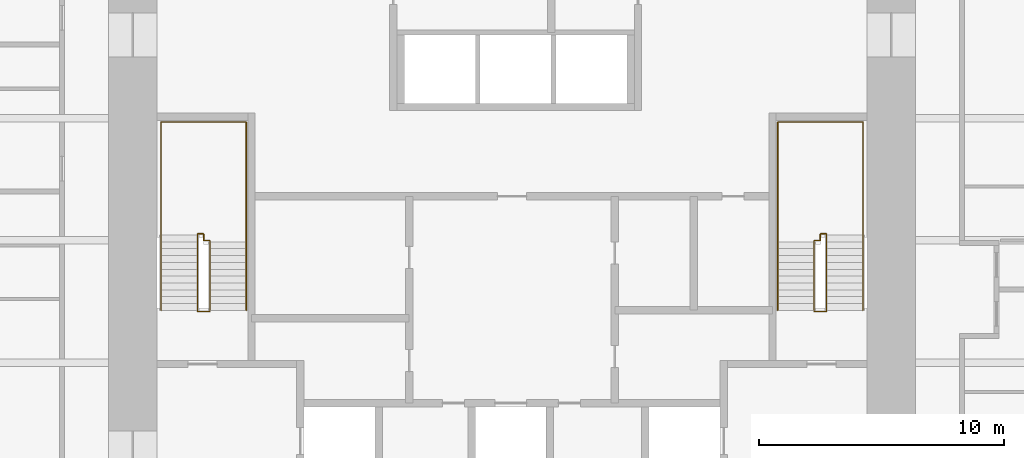
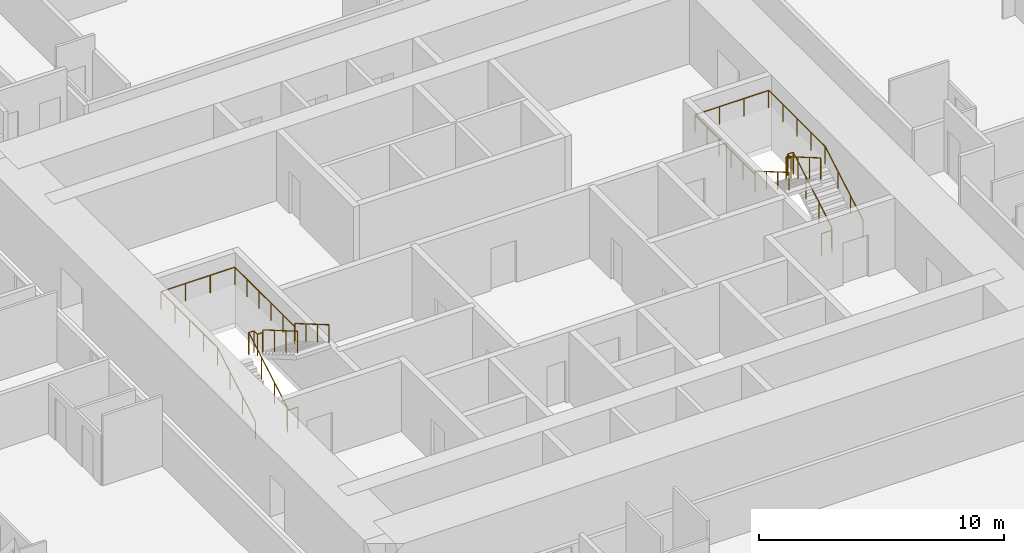
# One storey, part 17 of 17: 4 railings.
"""IFC4 building model written with IfcOpenShell, lengths in metres."""

from ifc_helpers import new_model, si_unit, direction, frame, origin, origin_2d, place, context, subcontext, project, spatial, circle, extrude, material, type_object, element, save


model = new_model("IFC4")

# Units and contexts
model_context = context("Model", 3, precision=1e-05, world=origin(), true_north=direction((0.0, 1.0)))
body_context = subcontext(model_context, "Body", "Model", "MODEL_VIEW")
ifc_project = project(units=[si_unit("LENGTHUNIT", "METRE"), si_unit("AREAUNIT", "SQUARE_METRE"), si_unit("VOLUMEUNIT", "CUBIC_METRE"), si_unit("PLANEANGLEUNIT", "RADIAN"), si_unit("MASSUNIT", "GRAM", prefix="KILO")], contexts=[model_context])

# Site, building, storey
site_placement = place(None, origin())
site = spatial("IfcSite", under=ifc_project, at=site_placement, CompositionType="ELEMENT")
building_placement = place(site_placement, origin())
building = spatial("IfcBuilding", under=site, at=building_placement, Name="Khuree Lantern Residences", CompositionType="ELEMENT")
storey_placement = place(building_placement, frame((0.0, 0.0, 36.0)))
storey = spatial("IfcBuildingStorey", under=building, at=storey_placement, Name="L08", CompositionType="ELEMENT", Elevation=36.0)

# Railings
ifc_material = material(Name="Steel S355", Category="steel")
railing_type_1 = type_object("IfcRailingType", Name="STAIR GUARD G1 1100", PredefinedType="GUARDRAIL", material=ifc_material)
railing_1_placement = place(storey_placement, frame((-12.35009765625, -2.909912109375, 0.0)))
element("IfcRailing", 1, at=railing_1_placement, inside=storey, type_object=railing_type_1, Name="Stair ST1 guard", PredefinedType="GUARDRAIL", context=body_context, shape_type="SweptSolid", body=[
    extrude(circle(Radius=0.02392578125, at=origin_2d()), frame((0.0, 0.0, 1.076171875), z_axis=(-1.0, 0.0, 0.0), x_axis=(0.0, -1.0, 0.0)), (0.0, 0.0, 1.0), 0.5),
    extrude(circle(Radius=0.02392578125, at=origin_2d()), frame((-0.5, 0.0, 1.076171875), z_axis=(0.0, 0.292073035251, 0.95639601739), x_axis=(-1.0, 0.0, 0.0)), (0.0, 0.0, 1.0), 0.17041015625),
    extrude(circle(Radius=0.02392578125, at=origin_2d()), frame((-0.5, 0.0498046875, 1.2392578125), z_axis=(0.0, 0.864176135923, 0.503189433615), x_axis=(-1.0, 0.0, 0.0)), (0.0, 0.0, 1.0), 3.564208984375),
    extrude(circle(Radius=0.02392578125, at=origin_2d()), frame((-0.5, 3.1298828125, 3.03271484375), z_axis=(0.0, 1.0, 0.0), x_axis=(-1.0, 0.0, 0.0)), (0.0, 0.0, 1.0), 0.050048828125),
    extrude(circle(Radius=0.02392578125, at=origin_2d()), frame((-0.5, 3.179931640625, 3.03271484375), z_axis=(1.0, 0.0, 0.0), x_axis=(0.0, 1.0, 0.0)), (0.0, 0.0, 1.0), 0.25),
    extrude(circle(Radius=0.02392578125, at=origin_2d()), frame((-0.25, 3.179931640625, 3.03271484375), z_axis=(0.0, -1.0, 0.0), x_axis=(1.0, 0.0, 0.0)), (0.0, 0.0, 1.0), 0.280029296875),
    extrude(circle(Radius=0.02392578125, at=origin_2d()), frame((-0.25, 2.89990234375, 3.03271484375), z_axis=(1.0, 0.0, 0.0), x_axis=(0.0, 1.0, 0.0)), (0.0, 0.0, 1.0), 0.25),
    extrude(circle(Radius=0.02392578125, at=origin_2d()), frame((0.0, 2.89990234375, 3.03271484375), z_axis=(0.0, -0.293381807449, 0.955995353053), x_axis=(1.0, 0.0, 0.0)), (0.0, 0.0, 1.0), 0.170654296875),
    extrude(circle(Radius=0.02392578125, at=origin_2d()), frame((0.0, 2.849853515625, 3.19580078125), z_axis=(0.0, -0.864180358799, 0.503182181189), x_axis=(1.0, 0.0, 0.0)), (0.0, 0.0, 1.0), 3.240234375),
    extrude(circle(Radius=0.02099609375, at=origin_2d()), origin(), (0.0, 0.0, 1.0), 1.052001953125),
    extrude(circle(Radius=0.02099609375, at=origin_2d()), frame((-0.5, 0.0, 0.0)), (0.0, 0.0, 1.0), 1.052001953125),
    extrude(circle(Radius=0.02099609375, at=origin_2d()), frame((-0.5, 0.0498046875, 0.1630859375)), (0.0, 0.0, 1.0), 1.052001953125),
    extrude(circle(Radius=0.02099609375, at=origin_2d()), frame((-0.5, 1.076416015625, 0.760986328125)), (0.0, 0.0, 1.0), 1.052001953125),
    extrude(circle(Radius=0.02099609375, at=origin_2d()), frame((-0.5, 2.103271484375, 1.358642578125)), (0.0, 0.0, 1.0), 1.052001953125),
    extrude(circle(Radius=0.02099609375, at=origin_2d()), frame((-0.5, 3.1298828125, 1.95654296875)), (0.0, 0.0, 1.0), 1.052001953125),
    extrude(circle(Radius=0.02099609375, at=origin_2d()), frame((-0.5, 3.179931640625, 1.95654296875)), (0.0, 0.0, 1.0), 1.052001953125),
    extrude(circle(Radius=0.02099609375, at=origin_2d()), frame((-0.25, 3.179931640625, 1.95654296875)), (0.0, 0.0, 1.0), 1.052001953125),
    extrude(circle(Radius=0.02099609375, at=origin_2d()), frame((-0.25, 2.89990234375, 1.95654296875)), (0.0, 0.0, 1.0), 1.052001953125),
    extrude(circle(Radius=0.02099609375, at=origin_2d()), frame((0.0, 2.89990234375, 1.95654296875)), (0.0, 0.0, 1.0), 1.052001953125),
    extrude(circle(Radius=0.02099609375, at=origin_2d()), frame((0.0, 2.849853515625, 2.11962890625)), (0.0, 0.0, 1.0), 1.052001953125),
    extrude(circle(Radius=0.02099609375, at=origin_2d()), frame((0.0, 1.91650390625, 2.6630859375)), (0.0, 0.0, 1.0), 1.052001953125),
    extrude(circle(Radius=0.02099609375, at=origin_2d()), frame((0.0, 0.983154296875, 3.20654296875)), (0.0, 0.0, 1.0), 1.052001953125),
    extrude(circle(Radius=0.02099609375, at=origin_2d()), frame((0.0, 0.0498046875, 3.75)), (0.0, 0.0, 1.0), 1.052001953125),
])
railing_2_placement = place(storey_placement, frame((12.35009765625, -2.909912109375, 0.0)))
element("IfcRailing", 2, at=railing_2_placement, inside=storey, type_object=railing_type_1, Name="Stair ST2 guard", PredefinedType="GUARDRAIL", context=body_context, shape_type="SweptSolid", body=[
    extrude(circle(Radius=0.02392578125, at=origin_2d()), frame((0.0, 0.0, 1.076171875), z_axis=(1.0, 0.0, 0.0), x_axis=(0.0, 1.0, 0.0)), (0.0, 0.0, 1.0), 0.5),
    extrude(circle(Radius=0.02392578125, at=origin_2d()), frame((0.5, 0.0, 1.076171875), z_axis=(0.0, 0.292073035251, 0.95639601739), x_axis=(-1.0, 0.0, 0.0)), (0.0, 0.0, 1.0), 0.17041015625),
    extrude(circle(Radius=0.02392578125, at=origin_2d()), frame((0.5, 0.0498046875, 1.2392578125), z_axis=(0.0, 0.864176135923, 0.503189433615), x_axis=(-1.0, 0.0, 0.0)), (0.0, 0.0, 1.0), 3.564208984375),
    extrude(circle(Radius=0.02392578125, at=origin_2d()), frame((0.5, 3.1298828125, 3.03271484375), z_axis=(0.0, 1.0, 0.0), x_axis=(-1.0, 0.0, 0.0)), (0.0, 0.0, 1.0), 0.050048828125),
    extrude(circle(Radius=0.02392578125, at=origin_2d()), frame((0.5, 3.179931640625, 3.03271484375), z_axis=(-1.0, 0.0, 0.0), x_axis=(0.0, -1.0, 0.0)), (0.0, 0.0, 1.0), 0.25),
    extrude(circle(Radius=0.02392578125, at=origin_2d()), frame((0.25, 3.179931640625, 3.03271484375), z_axis=(0.0, -1.0, 0.0), x_axis=(1.0, 0.0, 0.0)), (0.0, 0.0, 1.0), 0.280029296875),
    extrude(circle(Radius=0.02392578125, at=origin_2d()), frame((0.25, 2.89990234375, 3.03271484375), z_axis=(-1.0, 0.0, 0.0), x_axis=(0.0, -1.0, 0.0)), (0.0, 0.0, 1.0), 0.25),
    extrude(circle(Radius=0.02392578125, at=origin_2d()), frame((0.0, 2.89990234375, 3.03271484375), z_axis=(0.0, -0.293381807449, 0.955995353053), x_axis=(1.0, 0.0, 0.0)), (0.0, 0.0, 1.0), 0.170654296875),
    extrude(circle(Radius=0.02392578125, at=origin_2d()), frame((0.0, 2.849853515625, 3.19580078125), z_axis=(0.0, -0.864180358799, 0.503182181189), x_axis=(1.0, 0.0, 0.0)), (0.0, 0.0, 1.0), 3.240234375),
    extrude(circle(Radius=0.02099609375, at=origin_2d()), origin(), (0.0, 0.0, 1.0), 1.052001953125),
    extrude(circle(Radius=0.02099609375, at=origin_2d()), frame((0.5, 0.0, 0.0)), (0.0, 0.0, 1.0), 1.052001953125),
    extrude(circle(Radius=0.02099609375, at=origin_2d()), frame((0.5, 0.0498046875, 0.1630859375)), (0.0, 0.0, 1.0), 1.052001953125),
    extrude(circle(Radius=0.02099609375, at=origin_2d()), frame((0.5, 1.076416015625, 0.760986328125)), (0.0, 0.0, 1.0), 1.052001953125),
    extrude(circle(Radius=0.02099609375, at=origin_2d()), frame((0.5, 2.103271484375, 1.358642578125)), (0.0, 0.0, 1.0), 1.052001953125),
    extrude(circle(Radius=0.02099609375, at=origin_2d()), frame((0.5, 3.1298828125, 1.95654296875)), (0.0, 0.0, 1.0), 1.052001953125),
    extrude(circle(Radius=0.02099609375, at=origin_2d()), frame((0.5, 3.179931640625, 1.95654296875)), (0.0, 0.0, 1.0), 1.052001953125),
    extrude(circle(Radius=0.02099609375, at=origin_2d()), frame((0.25, 3.179931640625, 1.95654296875)), (0.0, 0.0, 1.0), 1.052001953125),
    extrude(circle(Radius=0.02099609375, at=origin_2d()), frame((0.25, 2.89990234375, 1.95654296875)), (0.0, 0.0, 1.0), 1.052001953125),
    extrude(circle(Radius=0.02099609375, at=origin_2d()), frame((0.0, 2.89990234375, 1.95654296875)), (0.0, 0.0, 1.0), 1.052001953125),
    extrude(circle(Radius=0.02099609375, at=origin_2d()), frame((0.0, 2.849853515625, 2.11962890625)), (0.0, 0.0, 1.0), 1.052001953125),
    extrude(circle(Radius=0.02099609375, at=origin_2d()), frame((0.0, 1.91650390625, 2.6630859375)), (0.0, 0.0, 1.0), 1.052001953125),
    extrude(circle(Radius=0.02099609375, at=origin_2d()), frame((0.0, 0.983154296875, 3.20654296875)), (0.0, 0.0, 1.0), 1.052001953125),
    extrude(circle(Radius=0.02099609375, at=origin_2d()), frame((0.0, 0.0498046875, 3.75)), (0.0, 0.0, 1.0), 1.052001953125),
])
railing_type_2 = type_object("IfcRailingType", Name="STAIR HANDRAIL H1 900", PredefinedType="HANDRAIL", material=ifc_material)
railing_3_placement = place(storey_placement, frame((-14.340087890625, -2.860107421875, 0.1630859375)))
element("IfcRailing", 3, at=railing_3_placement, inside=storey, type_object=railing_type_2, Name="Stair ST1 handrail", PredefinedType="HANDRAIL", context=body_context, shape_type="SweptSolid", body=[
    extrude(circle(Radius=0.02392578125, at=origin_2d()), frame((0.0, 0.0, 0.8759765625), z_axis=(0.0, 0.864176135923, 0.503189433615), x_axis=(-1.0, 0.0, 0.0)), (0.0, 0.0, 1.0), 3.564208984375),
    extrude(circle(Radius=0.02392578125, at=origin_2d()), frame((0.0, 3.080078125, 2.66943359375), z_axis=(0.0, 1.0, 0.0), x_axis=(-1.0, 0.0, 0.0)), (0.0, 0.0, 1.0), 4.6201171875),
    extrude(circle(Radius=0.02392578125, at=origin_2d()), frame((0.0, 7.7001953125, 2.66943359375), z_axis=(1.0, 0.0, 0.0), x_axis=(0.0, 1.0, 0.0)), (0.0, 0.0, 1.0), 3.47998046875),
    extrude(circle(Radius=0.02392578125, at=origin_2d()), frame((3.47998046875, 7.7001953125, 2.66943359375), z_axis=(0.0, -1.0, 0.0), x_axis=(1.0, 0.0, 0.0)), (0.0, 0.0, 1.0), 4.900146484375),
    extrude(circle(Radius=0.02392578125, at=origin_2d()), frame((3.47998046875, 2.800048828125, 2.66943359375), z_axis=(0.0, 0.0, 1.0), x_axis=(1.0, 0.0, 0.0)), (0.0, 0.0, 1.0), 0.1630859375),
    extrude(circle(Radius=0.02392578125, at=origin_2d()), frame((3.47998046875, 2.800048828125, 2.83251953125), z_axis=(0.0, -0.864180358799, 0.503182181189), x_axis=(1.0, 0.0, 0.0)), (0.0, 0.0, 1.0), 3.240234375),
    extrude(circle(Radius=0.02099609375, at=origin_2d()), origin(), (0.0, 0.0, 1.0), 0.851806640625),
    extrude(circle(Radius=0.02099609375, at=origin_2d()), frame((0.0, 1.026611328125, 0.597900390625)), (0.0, 0.0, 1.0), 0.851806640625),
    extrude(circle(Radius=0.02099609375, at=origin_2d()), frame((0.0, 2.053466796875, 1.195556640625)), (0.0, 0.0, 1.0), 0.851806640625),
    extrude(circle(Radius=0.02099609375, at=origin_2d()), frame((0.0, 3.080078125, 1.79345703125)), (0.0, 0.0, 1.0), 0.851806640625),
    extrude(circle(Radius=0.02099609375, at=origin_2d()), frame((0.0, 4.235107421875, 1.79345703125)), (0.0, 0.0, 1.0), 0.851806640625),
    extrude(circle(Radius=0.02099609375, at=origin_2d()), frame((0.0, 5.39013671875, 1.79345703125)), (0.0, 0.0, 1.0), 0.851806640625),
    extrude(circle(Radius=0.02099609375, at=origin_2d()), frame((0.0, 6.545166015625, 1.79345703125)), (0.0, 0.0, 1.0), 0.851806640625),
    extrude(circle(Radius=0.02099609375, at=origin_2d()), frame((0.0, 7.7001953125, 1.79345703125)), (0.0, 0.0, 1.0), 0.851806640625),
    extrude(circle(Radius=0.02099609375, at=origin_2d()), frame((1.159912109375, 7.7001953125, 1.79345703125)), (0.0, 0.0, 1.0), 0.851806640625),
    extrude(circle(Radius=0.02099609375, at=origin_2d()), frame((2.320068359375, 7.7001953125, 1.79345703125)), (0.0, 0.0, 1.0), 0.851806640625),
    extrude(circle(Radius=0.02099609375, at=origin_2d()), frame((3.47998046875, 7.7001953125, 1.79345703125)), (0.0, 0.0, 1.0), 0.851806640625),
    extrude(circle(Radius=0.02099609375, at=origin_2d()), frame((3.47998046875, 6.72021484375, 1.79345703125)), (0.0, 0.0, 1.0), 0.851806640625),
    extrude(circle(Radius=0.02099609375, at=origin_2d()), frame((3.47998046875, 5.740234375, 1.79345703125)), (0.0, 0.0, 1.0), 0.851806640625),
    extrude(circle(Radius=0.02099609375, at=origin_2d()), frame((3.47998046875, 4.760009765625, 1.79345703125)), (0.0, 0.0, 1.0), 0.851806640625),
    extrude(circle(Radius=0.02099609375, at=origin_2d()), frame((3.47998046875, 3.780029296875, 1.79345703125)), (0.0, 0.0, 1.0), 0.851806640625),
    extrude(circle(Radius=0.02099609375, at=origin_2d()), frame((3.47998046875, 2.800048828125, 1.79345703125)), (0.0, 0.0, 1.0), 0.851806640625),
    extrude(circle(Radius=0.02099609375, at=origin_2d()), frame((3.47998046875, 2.800048828125, 1.95654296875)), (0.0, 0.0, 1.0), 0.851806640625),
    extrude(circle(Radius=0.02099609375, at=origin_2d()), frame((3.47998046875, 1.86669921875, 2.5)), (0.0, 0.0, 1.0), 0.851806640625),
    extrude(circle(Radius=0.02099609375, at=origin_2d()), frame((3.47998046875, 0.933349609375, 3.04345703125)), (0.0, 0.0, 1.0), 0.851806640625),
    extrude(circle(Radius=0.02099609375, at=origin_2d()), frame((3.47998046875, 0.0, 3.5869140625)), (0.0, 0.0, 1.0), 0.851806640625),
])
railing_4_placement = place(storey_placement, frame((14.340087890625, -2.860107421875, 0.1630859375)))
element("IfcRailing", 4, at=railing_4_placement, inside=storey, type_object=railing_type_2, Name="Stair ST2 handrail", PredefinedType="HANDRAIL", context=body_context, shape_type="SweptSolid", body=[
    extrude(circle(Radius=0.02392578125, at=origin_2d()), frame((0.0, 0.0, 0.8759765625), z_axis=(0.0, 0.864176135923, 0.503189433615), x_axis=(-1.0, 0.0, 0.0)), (0.0, 0.0, 1.0), 3.564208984375),
    extrude(circle(Radius=0.02392578125, at=origin_2d()), frame((0.0, 3.080078125, 2.66943359375), z_axis=(0.0, 1.0, 0.0), x_axis=(-1.0, 0.0, 0.0)), (0.0, 0.0, 1.0), 4.6201171875),
    extrude(circle(Radius=0.02392578125, at=origin_2d()), frame((0.0, 7.7001953125, 2.66943359375), z_axis=(-1.0, 0.0, 0.0), x_axis=(0.0, -1.0, 0.0)), (0.0, 0.0, 1.0), 3.47998046875),
    extrude(circle(Radius=0.02392578125, at=origin_2d()), frame((-3.47998046875, 7.7001953125, 2.66943359375), z_axis=(0.0, -1.0, 0.0), x_axis=(1.0, 0.0, 0.0)), (0.0, 0.0, 1.0), 4.900146484375),
    extrude(circle(Radius=0.02392578125, at=origin_2d()), frame((-3.47998046875, 2.800048828125, 2.66943359375), z_axis=(0.0, 0.0, 1.0), x_axis=(1.0, 0.0, 0.0)), (0.0, 0.0, 1.0), 0.1630859375),
    extrude(circle(Radius=0.02392578125, at=origin_2d()), frame((-3.47998046875, 2.800048828125, 2.83251953125), z_axis=(0.0, -0.864180358799, 0.503182181189), x_axis=(1.0, 0.0, 0.0)), (0.0, 0.0, 1.0), 3.240234375),
    extrude(circle(Radius=0.02099609375, at=origin_2d()), origin(), (0.0, 0.0, 1.0), 0.851806640625),
    extrude(circle(Radius=0.02099609375, at=origin_2d()), frame((0.0, 1.026611328125, 0.597900390625)), (0.0, 0.0, 1.0), 0.851806640625),
    extrude(circle(Radius=0.02099609375, at=origin_2d()), frame((0.0, 2.053466796875, 1.195556640625)), (0.0, 0.0, 1.0), 0.851806640625),
    extrude(circle(Radius=0.02099609375, at=origin_2d()), frame((0.0, 3.080078125, 1.79345703125)), (0.0, 0.0, 1.0), 0.851806640625),
    extrude(circle(Radius=0.02099609375, at=origin_2d()), frame((0.0, 4.235107421875, 1.79345703125)), (0.0, 0.0, 1.0), 0.851806640625),
    extrude(circle(Radius=0.02099609375, at=origin_2d()), frame((0.0, 5.39013671875, 1.79345703125)), (0.0, 0.0, 1.0), 0.851806640625),
    extrude(circle(Radius=0.02099609375, at=origin_2d()), frame((0.0, 6.545166015625, 1.79345703125)), (0.0, 0.0, 1.0), 0.851806640625),
    extrude(circle(Radius=0.02099609375, at=origin_2d()), frame((0.0, 7.7001953125, 1.79345703125)), (0.0, 0.0, 1.0), 0.851806640625),
    extrude(circle(Radius=0.02099609375, at=origin_2d()), frame((-1.159912109375, 7.7001953125, 1.79345703125)), (0.0, 0.0, 1.0), 0.851806640625),
    extrude(circle(Radius=0.02099609375, at=origin_2d()), frame((-2.320068359375, 7.7001953125, 1.79345703125)), (0.0, 0.0, 1.0), 0.851806640625),
    extrude(circle(Radius=0.02099609375, at=origin_2d()), frame((-3.47998046875, 7.7001953125, 1.79345703125)), (0.0, 0.0, 1.0), 0.851806640625),
    extrude(circle(Radius=0.02099609375, at=origin_2d()), frame((-3.47998046875, 6.72021484375, 1.79345703125)), (0.0, 0.0, 1.0), 0.851806640625),
    extrude(circle(Radius=0.02099609375, at=origin_2d()), frame((-3.47998046875, 5.740234375, 1.79345703125)), (0.0, 0.0, 1.0), 0.851806640625),
    extrude(circle(Radius=0.02099609375, at=origin_2d()), frame((-3.47998046875, 4.760009765625, 1.79345703125)), (0.0, 0.0, 1.0), 0.851806640625),
    extrude(circle(Radius=0.02099609375, at=origin_2d()), frame((-3.47998046875, 3.780029296875, 1.79345703125)), (0.0, 0.0, 1.0), 0.851806640625),
    extrude(circle(Radius=0.02099609375, at=origin_2d()), frame((-3.47998046875, 2.800048828125, 1.79345703125)), (0.0, 0.0, 1.0), 0.851806640625),
    extrude(circle(Radius=0.02099609375, at=origin_2d()), frame((-3.47998046875, 2.800048828125, 1.95654296875)), (0.0, 0.0, 1.0), 0.851806640625),
    extrude(circle(Radius=0.02099609375, at=origin_2d()), frame((-3.47998046875, 1.86669921875, 2.5)), (0.0, 0.0, 1.0), 0.851806640625),
    extrude(circle(Radius=0.02099609375, at=origin_2d()), frame((-3.47998046875, 0.933349609375, 3.04345703125)), (0.0, 0.0, 1.0), 0.851806640625),
    extrude(circle(Radius=0.02099609375, at=origin_2d()), frame((-3.47998046875, 0.0, 3.5869140625)), (0.0, 0.0, 1.0), 0.851806640625),
])

save(model, "model.ifc")
